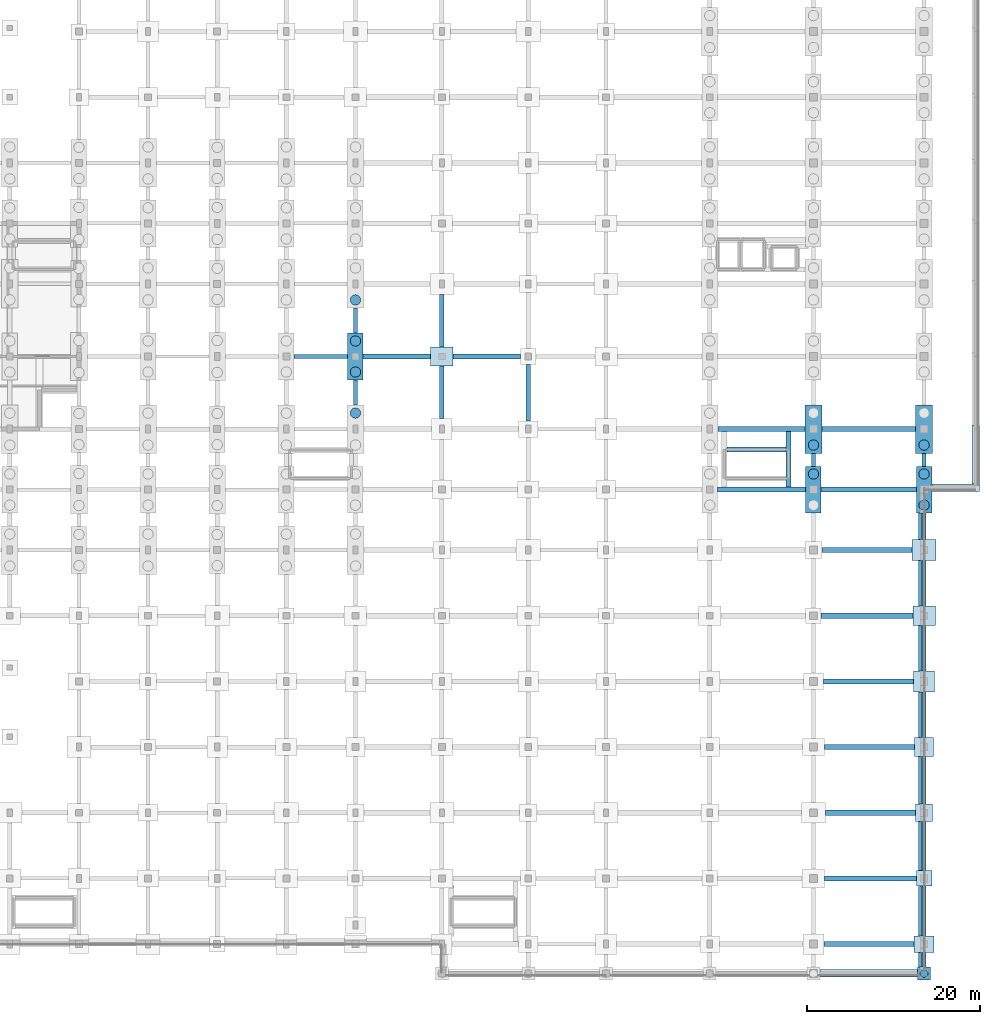
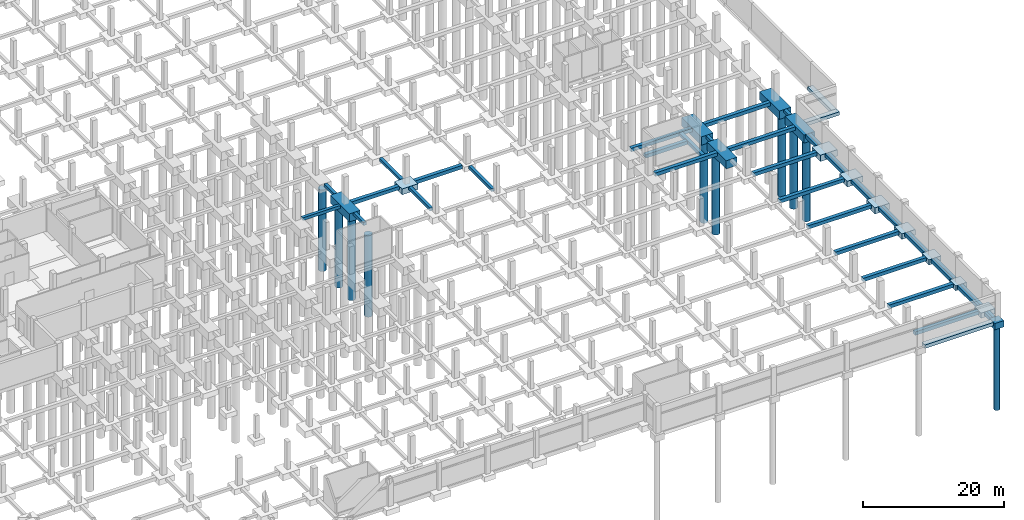
# One storey, part 20 of 50: 56 footings, 10 piles.
"""IFC4 building model written with IfcOpenShell, lengths in metres."""

from ifc_helpers import new_model, si_unit, direction, frame, origin, origin_2d, place, context, subcontext, project, spatial, polyline, rectangle, circle, outline, extrude, material, material_profile, profile_set, type_object, element, save


model = new_model("IFC4")

# Units and contexts
model_context = context("Model", 3, precision=1e-05, world=origin(), true_north=direction((0.0, 1.0)))
body_context = subcontext(model_context, "Body", "Model", "MODEL_VIEW")
ifc_project = project(units=[si_unit("LENGTHUNIT", "METRE"), si_unit("AREAUNIT", "SQUARE_METRE"), si_unit("VOLUMEUNIT", "CUBIC_METRE"), si_unit("PLANEANGLEUNIT", "RADIAN"), si_unit("MASSUNIT", "GRAM", prefix="KILO")], contexts=[model_context])

# Site, building, storey
site_placement = place(None, origin())
site = spatial("IfcSite", under=ifc_project, at=site_placement, CompositionType="ELEMENT")
building_placement = place(site_placement, origin())
building = spatial("IfcBuilding", under=site, at=building_placement, Name="Vekula Escarpment Museum", CompositionType="ELEMENT")
storey_placement = place(building_placement, frame((0.0, 0.0, -4.800048828125)))
storey = spatial("IfcBuildingStorey", under=building, at=storey_placement, Name="B1", CompositionType="ELEMENT", Elevation=-4.800048828125)

# Footings
ifc_material_1 = material(Name="Concrete C35/45", Category="concrete")
footing_type_1 = type_object("IfcFootingType", Name="FB-STRIP-600", PredefinedType="STRIP_FOOTING", material=ifc_material_1)
footing_1_placement = place(storey_placement, frame((0.0, 0.0, -0.599853515625)))
element("IfcFooting", 1, at=footing_1_placement, inside=storey, type_object=footing_type_1, Name="Plinth Wall Strip Footing 0082", PredefinedType="STRIP_FOOTING", context=body_context, shape_type="SweptSolid", body=[
    extrude(outline(polyline([(179.75390625, -3.794921875), (179.75390625, -2.955078125), (191.0458984375, -2.955078125), (191.0458984375, -3.794921875), (179.75390625, -3.794921875)])), origin(), (0.0, 0.0, 1.0), 0.599853515625),
])
footing_2_placement = place(storey_placement, frame((0.0, 0.0, -0.599853515625)))
element("IfcFooting", 2, at=footing_2_placement, inside=storey, type_object=footing_type_1, Name="Plinth Wall Strip Footing 0083", PredefinedType="STRIP_FOOTING", context=body_context, shape_type="SweptSolid", body=[
    extrude(outline(polyline([(191.155029296875, -0.9541015625), (191.5458984375, -0.9541015625), (191.5458984375, -2.64599609375), (191.155029296875, -2.64599609375), (191.155029296875, -0.9541015625)])), origin(), (0.0, 0.0, 1.0), 0.599853515625),
])
footing_3_placement = place(storey_placement, frame((0.0, 0.0, -0.599853515625)))
element("IfcFooting", 3, at=footing_3_placement, inside=storey, type_object=footing_type_1, Name="Plinth Wall Strip Footing 0084", PredefinedType="STRIP_FOOTING", context=body_context, shape_type="SweptSolid", body=[
    extrude(outline(polyline([(191.155029296875, 6.696044921875), (191.5458984375, 6.696044921875), (191.5458984375, 0.9541015625), (191.155029296875, 0.9541015625), (191.155029296875, 6.696044921875)])), origin(), (0.0, 0.0, 1.0), 0.599853515625),
])
footing_4_placement = place(storey_placement, frame((0.0, 0.0, -0.599853515625)))
element("IfcFooting", 4, at=footing_4_placement, inside=storey, type_object=footing_type_1, Name="Plinth Wall Strip Footing 0085", PredefinedType="STRIP_FOOTING", context=body_context, shape_type="SweptSolid", body=[
    extrude(outline(polyline([(191.155029296875, 14.196044921875), (191.5458984375, 14.196044921875), (191.5458984375, 8.50390625), (191.155029296875, 8.50390625), (191.155029296875, 14.196044921875)])), origin(), (0.0, 0.0, 1.0), 0.599853515625),
])
footing_5_placement = place(storey_placement, frame((0.0, 0.0, -0.599853515625)))
element("IfcFooting", 5, at=footing_5_placement, inside=storey, type_object=footing_type_1, Name="Plinth Wall Strip Footing 0086", PredefinedType="STRIP_FOOTING", context=body_context, shape_type="SweptSolid", body=[
    extrude(outline(polyline([(191.155029296875, 21.696044921875), (191.5458984375, 21.696044921875), (191.5458984375, 16.2041015625), (191.155029296875, 16.2041015625), (191.155029296875, 21.696044921875)])), origin(), (0.0, 0.0, 1.0), 0.599853515625),
])
footing_6_placement = place(storey_placement, frame((0.0, 0.0, -0.599853515625)))
element("IfcFooting", 6, at=footing_6_placement, inside=storey, type_object=footing_type_1, Name="Plinth Wall Strip Footing 0087", PredefinedType="STRIP_FOOTING", context=body_context, shape_type="SweptSolid", body=[
    extrude(outline(polyline([(191.155029296875, 29.196044921875), (191.5458984375, 29.196044921875), (191.5458984375, 23.904052734375), (191.155029296875, 23.904052734375), (191.155029296875, 29.196044921875)])), origin(), (0.0, 0.0, 1.0), 0.599853515625),
])
footing_7_placement = place(storey_placement, frame((0.0, 0.0, -0.599853515625)))
element("IfcFooting", 7, at=footing_7_placement, inside=storey, type_object=footing_type_1, Name="Plinth Wall Strip Footing 0088", PredefinedType="STRIP_FOOTING", context=body_context, shape_type="SweptSolid", body=[
    extrude(outline(polyline([(191.155029296875, 36.89599609375), (191.5458984375, 36.89599609375), (191.5458984375, 31.60400390625), (191.155029296875, 31.60400390625), (191.155029296875, 36.89599609375)])), origin(), (0.0, 0.0, 1.0), 0.599853515625),
])
footing_8_placement = place(storey_placement, frame((0.0, 0.0, -0.599853515625)))
element("IfcFooting", 8, at=footing_8_placement, inside=storey, type_object=footing_type_1, Name="Plinth Wall Strip Footing 0089", PredefinedType="STRIP_FOOTING", context=body_context, shape_type="SweptSolid", body=[
    extrude(outline(polyline([(191.155029296875, 44.39599609375), (191.5458984375, 44.39599609375), (191.5458984375, 39.10400390625), (191.155029296875, 39.10400390625), (191.155029296875, 44.39599609375)])), origin(), (0.0, 0.0, 1.0), 0.599853515625),
])
footing_9_placement = place(storey_placement, frame((0.0, 0.0, -0.599853515625)))
element("IfcFooting", 9, at=footing_9_placement, inside=storey, type_object=footing_type_1, Name="Plinth Wall Strip Footing 0090", PredefinedType="STRIP_FOOTING", context=body_context, shape_type="SweptSolid", body=[
    extrude(outline(polyline([(191.155029296875, 49.89599609375), (191.5458984375, 49.89599609375), (191.5458984375, 46.803955078125), (191.155029296875, 46.803955078125), (191.155029296875, 49.89599609375)])), origin(), (0.0, 0.0, 1.0), 0.599853515625),
])
footing_10_placement = place(storey_placement, frame((0.0, 0.0, -0.599853515625)))
element("IfcFooting", 10, at=footing_10_placement, inside=storey, type_object=footing_type_1, Name="Plinth Wall Strip Footing 0091", PredefinedType="STRIP_FOOTING", context=body_context, shape_type="SweptSolid", body=[
    extrude(outline(polyline([(198.195068359375, 53.2451171875), (198.195068359375, 52.405029296875), (192.7041015625, 52.405029296875), (192.7041015625, 53.2451171875), (198.195068359375, 53.2451171875)])), origin(), (0.0, 0.0, 1.0), 0.599853515625),
])
footing_11_placement = place(storey_placement, frame((0.0, 0.0, -0.599853515625)))
element("IfcFooting", 11, at=footing_11_placement, inside=storey, type_object=footing_type_1, Name="Plinth Wall Strip Footing 0092", PredefinedType="STRIP_FOOTING", context=body_context, shape_type="SweptSolid", body=[
    extrude(outline(polyline([(197.35498046875, 60.02001953125), (198.195068359375, 60.02001953125), (198.195068359375, 53.2490234375), (197.35498046875, 53.2490234375), (197.35498046875, 60.02001953125)])), origin(), (0.0, 0.0, 1.0), 0.599853515625),
])
footing_12_placement = place(storey_placement, frame((0.0, 0.0, -0.599853515625)))
element("IfcFooting", 12, at=footing_12_placement, inside=storey, type_object=footing_type_1, Name="Stair Core Strip Footing ST-02 E", PredefinedType="STRIP_FOOTING", context=body_context, shape_type="SweptSolid", body=[
    extrude(outline(polyline([(176.425048828125, 52.904052734375), (175.824951171875, 52.904052734375), (175.824951171875, 59.2958984375), (176.425048828125, 59.2958984375), (176.425048828125, 52.904052734375)])), origin(), (0.0, 0.0, 1.0), 0.599853515625),
])
footing_13_placement = place(storey_placement, frame((0.0, 0.0, -0.599853515625)))
element("IfcFooting", 13, at=footing_13_placement, inside=storey, type_object=footing_type_1, Name="Stair Core Strip Footing ST-02 N", PredefinedType="STRIP_FOOTING", context=body_context, shape_type="SweptSolid", body=[
    extrude(outline(polyline([(168.97900390625, 56.925048828125), (168.97900390625, 57.52490234375), (175.821044921875, 57.52490234375), (175.821044921875, 56.925048828125), (168.97900390625, 56.925048828125)])), origin(), (0.0, 0.0, 1.0), 0.599853515625),
])
ifc_material_2 = material(Name="Concrete C35/45", Category="concrete")
ifc_material_profile_1 = material_profile(ifc_material_2, rectangle(XDim=0.5, YDim=0.5, at=origin_2d()), Name="RC 500x500")
ifc_profile_set_1 = profile_set([ifc_material_profile_1], Name="Concrete C35/45")
footing_type_2 = type_object("IfcFootingType", Name="FB-TIE-500x500", PredefinedType="FOOTING_BEAM", material=ifc_profile_set_1)
footing_14_placement = place(storey_placement, frame((118.89990234375, 68.0, -0.25), z_axis=(1.0, 0.0, 0.0), x_axis=(0.0, 1.0, 0.0)))
element("IfcFooting", 14, at=footing_14_placement, inside=storey, type_object=footing_type_2, Name="Foundation Tie Beam 203", PredefinedType="FOOTING_BEAM", context=body_context, shape_type="SweptSolid", body=[
    extrude(rectangle(XDim=0.5, YDim=0.5, at=origin_2d()), origin(), (0.0, 0.0, 1.0), 6.2001953125),
])
for number, where, z_axis, x_axis, name in (
    (15, (126.0, 62.39990234375, -0.25), (0.0, 1.0, 0.0), (-1.0, 0.0, 0.0), "Foundation Tie Beam 672"),
    (16, (126.0, 70.699951171875, -0.25), (0.0, 1.0, 0.0), (-1.0, 0.0, 0.0), "Foundation Tie Beam 673"),
):
    element("IfcFooting", number, at=place(storey_placement, frame(where, z_axis=z_axis, x_axis=x_axis)), inside=storey, type_object=footing_type_2, Name=name, PredefinedType="FOOTING_BEAM", context=body_context, shape_type="SweptSolid", body=[
        extrude(rectangle(XDim=0.5, YDim=0.5, at=origin_2d()), origin(), (0.0, 0.0, 1.0), 2.900146484375),
    ])
for number, where, z_axis, x_axis, name in (
    (17, (136.0, 60.800048828125, -0.25), (0.0, 1.0, 0.0), (-1.0, 0.0, 0.0), "Foundation Tie Beam 691"),
    (18, (136.0, 69.10009765625, -0.25), (0.0, 1.0, 0.0), (-1.0, 0.0, 0.0), "Foundation Tie Beam 692"),
):
    element("IfcFooting", number, at=place(storey_placement, frame(where, z_axis=z_axis, x_axis=x_axis)), inside=storey, type_object=footing_type_2, Name=name, PredefinedType="FOOTING_BEAM", context=body_context, shape_type="SweptSolid", body=[
        extrude(rectangle(XDim=0.5, YDim=0.5, at=origin_2d()), origin(), (0.0, 0.0, 1.0), 6.099853515625),
    ])
footing_15_placement = place(storey_placement, frame((146.0, 60.550048828125, -0.25), z_axis=(0.0, 1.0, 0.0), x_axis=(-1.0, 0.0, 0.0)))
element("IfcFooting", 19, at=footing_15_placement, inside=storey, type_object=footing_type_2, Name="Foundation Tie Beam 710", PredefinedType="FOOTING_BEAM", context=body_context, shape_type="SweptSolid", body=[
    extrude(rectangle(XDim=0.5, YDim=0.5, at=origin_2d()), origin(), (0.0, 0.0, 1.0), 6.550048828125),
])
footing_16_placement = place(storey_placement, frame((179.0, 55.300048828125, -0.25), z_axis=(0.0, 1.0, 0.0), x_axis=(-1.0, 0.0, 0.0)))
element("IfcFooting", 20, at=footing_16_placement, inside=storey, type_object=footing_type_2, Name="Foundation Tie Beam 766", PredefinedType="FOOTING_BEAM", context=body_context, shape_type="SweptSolid", body=[
    extrude(rectangle(XDim=0.5, YDim=0.5, at=origin_2d()), origin(), (0.0, 0.0, 1.0), 1.5),
])
footing_17_placement = place(storey_placement, frame((191.800048828125, -2.64990234375, -0.25), z_axis=(0.0, 1.0, 0.0), x_axis=(-1.0, 0.0, 0.0)))
element("IfcFooting", 21, at=footing_17_placement, inside=storey, type_object=footing_type_2, Name="Foundation Tie Beam 777", PredefinedType="FOOTING_BEAM", context=body_context, shape_type="SweptSolid", body=[
    extrude(rectangle(XDim=0.5, YDim=0.5, at=origin_2d()), origin(), (0.0, 0.0, 1.0), 1.699951171875),
])
footing_18_placement = place(storey_placement, frame((191.800048828125, 0.949951171875, -0.25), z_axis=(0.0, 1.0, 0.0), x_axis=(-1.0, 0.0, 0.0)))
element("IfcFooting", 22, at=footing_18_placement, inside=storey, type_object=footing_type_2, Name="Foundation Tie Beam 778", PredefinedType="FOOTING_BEAM", context=body_context, shape_type="SweptSolid", body=[
    extrude(rectangle(XDim=0.5, YDim=0.5, at=origin_2d()), origin(), (0.0, 0.0, 1.0), 5.75),
])
footing_19_placement = place(storey_placement, frame((191.800048828125, 8.5, -0.25), z_axis=(0.0, 1.0, 0.0), x_axis=(-1.0, 0.0, 0.0)))
element("IfcFooting", 23, at=footing_19_placement, inside=storey, type_object=footing_type_2, Name="Foundation Tie Beam 779", PredefinedType="FOOTING_BEAM", context=body_context, shape_type="SweptSolid", body=[
    extrude(rectangle(XDim=0.5, YDim=0.5, at=origin_2d()), origin(), (0.0, 0.0, 1.0), 5.699951171875),
])
footing_20_placement = place(storey_placement, frame((191.800048828125, 16.199951171875, -0.25), z_axis=(0.0, 1.0, 0.0), x_axis=(-1.0, 0.0, 0.0)))
element("IfcFooting", 24, at=footing_20_placement, inside=storey, type_object=footing_type_2, Name="Foundation Tie Beam 780", PredefinedType="FOOTING_BEAM", context=body_context, shape_type="SweptSolid", body=[
    extrude(rectangle(XDim=0.5, YDim=0.5, at=origin_2d()), origin(), (0.0, 0.0, 1.0), 5.5),
])
footing_21_placement = place(storey_placement, frame((191.800048828125, 23.89990234375, -0.25), z_axis=(0.0, 1.0, 0.0), x_axis=(-1.0, 0.0, 0.0)))
element("IfcFooting", 25, at=footing_21_placement, inside=storey, type_object=footing_type_2, Name="Foundation Tie Beam 781", PredefinedType="FOOTING_BEAM", context=body_context, shape_type="SweptSolid", body=[
    extrude(rectangle(XDim=0.5, YDim=0.5, at=origin_2d()), origin(), (0.0, 0.0, 1.0), 5.300048828125),
])
for number, where, z_axis, x_axis, name in (
    (26, (191.800048828125, 31.60009765625, -0.25), (0.0, 1.0, 0.0), (-1.0, 0.0, 0.0), "Foundation Tie Beam 782"),
    (27, (191.800048828125, 39.10009765625, -0.25), (0.0, 1.0, 0.0), (-1.0, 0.0, 0.0), "Foundation Tie Beam 783"),
):
    element("IfcFooting", number, at=place(storey_placement, frame(where, z_axis=z_axis, x_axis=x_axis)), inside=storey, type_object=footing_type_2, Name=name, PredefinedType="FOOTING_BEAM", context=body_context, shape_type="SweptSolid", body=[
        extrude(rectangle(XDim=0.5, YDim=0.5, at=origin_2d()), origin(), (0.0, 0.0, 1.0), 5.2998046875),
    ])
footing_22_placement = place(storey_placement, frame((191.800048828125, 46.800048828125, -0.25), z_axis=(0.0, 1.0, 0.0), x_axis=(-1.0, 0.0, 0.0)))
element("IfcFooting", 28, at=footing_22_placement, inside=storey, type_object=footing_type_2, Name="Foundation Tie Beam 784", PredefinedType="FOOTING_BEAM", context=body_context, shape_type="SweptSolid", body=[
    extrude(rectangle(XDim=0.5, YDim=0.5, at=origin_2d()), origin(), (0.0, 0.0, 1.0), 3.099853515625),
])
footing_23_placement = place(storey_placement, frame((191.800048828125, 55.300048828125, -0.25), z_axis=(0.0, 1.0, 0.0), x_axis=(-1.0, 0.0, 0.0)))
element("IfcFooting", 29, at=footing_23_placement, inside=storey, type_object=footing_type_2, Name="Foundation Tie Beam 785", PredefinedType="FOOTING_BEAM", context=body_context, shape_type="SweptSolid", body=[
    extrude(rectangle(XDim=0.5, YDim=0.5, at=origin_2d()), origin(), (0.0, 0.0, 1.0), 1.5),
])
ifc_material_3 = material(Name="Concrete C35/45", Category="concrete")
ifc_material_profile_2 = material_profile(ifc_material_3, rectangle(XDim=0.60009765625, YDim=0.60009765625, at=origin_2d()), Name="RC 600x600")
ifc_profile_set_2 = profile_set([ifc_material_profile_2], Name="Concrete C35/45")
footing_type_3 = type_object("IfcFootingType", Name="FB-TIE-600x600", PredefinedType="FOOTING_BEAM", material=ifc_profile_set_2)
footing_24_placement = place(storey_placement, frame((180.199951171875, 0.0, -0.300048828125), z_axis=(1.0, 0.0, 0.0), x_axis=(0.0, 1.0, 0.0)))
element("IfcFooting", 30, at=footing_24_placement, inside=storey, type_object=footing_type_3, Name="Foundation Tie Beam 024", PredefinedType="FOOTING_BEAM", context=body_context, shape_type="SweptSolid", body=[
    extrude(rectangle(XDim=0.60009765625, YDim=0.60009765625, at=origin_2d()), origin(), (0.0, 0.0, 1.0), 10.449951171875),
])
footing_25_placement = place(storey_placement, frame((180.300048828125, 7.60009765625, -0.300048828125), z_axis=(1.0, 0.0, 0.0), x_axis=(0.0, 1.0, 0.0)))
element("IfcFooting", 31, at=footing_25_placement, inside=storey, type_object=footing_type_3, Name="Foundation Tie Beam 043", PredefinedType="FOOTING_BEAM", context=body_context, shape_type="SweptSolid", body=[
    extrude(rectangle(XDim=0.60009765625, YDim=0.60009765625, at=origin_2d()), origin(), (0.0, 0.0, 1.0), 10.599853515625),
])
footing_26_placement = place(storey_placement, frame((180.39990234375, 15.199951171875, -0.300048828125), z_axis=(1.0, 0.0, 0.0), x_axis=(0.0, 1.0, 0.0)))
element("IfcFooting", 32, at=footing_26_placement, inside=storey, type_object=footing_type_3, Name="Foundation Tie Beam 062", PredefinedType="FOOTING_BEAM", context=body_context, shape_type="SweptSolid", body=[
    extrude(rectangle(XDim=0.60009765625, YDim=0.60009765625, at=origin_2d()), origin(), (0.0, 0.0, 1.0), 10.400146484375),
])
footing_27_placement = place(storey_placement, frame((180.25, 22.800048828125, -0.300048828125), z_axis=(1.0, 0.0, 0.0), x_axis=(0.0, 1.0, 0.0)))
element("IfcFooting", 33, at=footing_27_placement, inside=storey, type_object=footing_type_3, Name="Foundation Tie Beam 080", PredefinedType="FOOTING_BEAM", context=body_context, shape_type="SweptSolid", body=[
    extrude(rectangle(XDim=0.60009765625, YDim=0.60009765625, at=origin_2d()), origin(), (0.0, 0.0, 1.0), 10.449951171875),
])
footing_28_placement = place(storey_placement, frame((180.14990234375, 30.39990234375, -0.300048828125), z_axis=(1.0, 0.0, 0.0), x_axis=(0.0, 1.0, 0.0)))
element("IfcFooting", 34, at=footing_28_placement, inside=storey, type_object=footing_type_3, Name="Foundation Tie Beam 098", PredefinedType="FOOTING_BEAM", context=body_context, shape_type="SweptSolid", body=[
    extrude(rectangle(XDim=0.60009765625, YDim=0.60009765625, at=origin_2d()), origin(), (0.0, 0.0, 1.0), 10.4501953125),
])
footing_29_placement = place(storey_placement, frame((179.89990234375, 38.0, -0.300048828125), z_axis=(1.0, 0.0, 0.0), x_axis=(0.0, 1.0, 0.0)))
element("IfcFooting", 35, at=footing_29_placement, inside=storey, type_object=footing_type_3, Name="Foundation Tie Beam 119", PredefinedType="FOOTING_BEAM", context=body_context, shape_type="SweptSolid", body=[
    extrude(rectangle(XDim=0.60009765625, YDim=0.60009765625, at=origin_2d()), origin(), (0.0, 0.0, 1.0), 10.60009765625),
])
footing_30_placement = place(storey_placement, frame((180.0, 45.60009765625, -0.300048828125), z_axis=(1.0, 0.0, 0.0), x_axis=(0.0, 1.0, 0.0)))
element("IfcFooting", 36, at=footing_30_placement, inside=storey, type_object=footing_type_3, Name="Foundation Tie Beam 140", PredefinedType="FOOTING_BEAM", context=body_context, shape_type="SweptSolid", body=[
    extrude(rectangle(XDim=0.60009765625, YDim=0.60009765625, at=origin_2d()), origin(), (0.0, 0.0, 1.0), 10.39990234375),
])
footing_31_placement = place(storey_placement, frame((167.89990234375, 52.60009765625, -0.300048828125), z_axis=(1.0, 0.0, 0.0), x_axis=(0.0, 1.0, 0.0)))
element("IfcFooting", 37, at=footing_31_placement, inside=storey, type_object=footing_type_3, Name="Foundation Tie Beam 162", PredefinedType="FOOTING_BEAM", context=body_context, shape_type="SweptSolid", body=[
    extrude(rectangle(XDim=0.60009765625, YDim=0.60009765625, at=origin_2d()), origin(), (0.0, 0.0, 1.0), 10.2001953125),
])
footing_32_placement = place(storey_placement, frame((179.89990234375, 52.60009765625, -0.300048828125), z_axis=(1.0, 0.0, 0.0), x_axis=(0.0, 1.0, 0.0)))
element("IfcFooting", 38, at=footing_32_placement, inside=storey, type_object=footing_type_3, Name="Foundation Tie Beam 163", PredefinedType="FOOTING_BEAM", context=body_context, shape_type="SweptSolid", body=[
    extrude(rectangle(XDim=0.60009765625, YDim=0.60009765625, at=origin_2d()), origin(), (0.0, 0.0, 1.0), 11.0),
])
footing_33_placement = place(storey_placement, frame((167.97509765625, 59.60009765625, -0.300048828125), z_axis=(1.0, 0.0, 0.0), x_axis=(0.0, 1.0, 0.0)))
element("IfcFooting", 39, at=footing_33_placement, inside=storey, type_object=footing_type_3, Name="Foundation Tie Beam 185", PredefinedType="FOOTING_BEAM", context=body_context, shape_type="SweptSolid", body=[
    extrude(rectangle(XDim=0.60009765625, YDim=0.60009765625, at=origin_2d()), origin(), (0.0, 0.0, 1.0), 10.0498046875),
])
footing_34_placement = place(storey_placement, frame((179.97509765625, 59.60009765625, -0.300048828125), z_axis=(1.0, 0.0, 0.0), x_axis=(0.0, 1.0, 0.0)))
element("IfcFooting", 40, at=footing_34_placement, inside=storey, type_object=footing_type_3, Name="Foundation Tie Beam 186", PredefinedType="FOOTING_BEAM", context=body_context, shape_type="SweptSolid", body=[
    extrude(rectangle(XDim=0.60009765625, YDim=0.60009765625, at=origin_2d()), origin(), (0.0, 0.0, 1.0), 10.849853515625),
])
for number, where, z_axis, x_axis, name in (
    (41, (126.89990234375, 68.0, -0.300048828125), (1.0, 0.0, 0.0), (0.0, 1.0, 0.0), "Foundation Tie Beam 204"),
    (42, (137.300048828125, 68.0, -0.300048828125), (1.0, 0.0, 0.0), (0.0, 1.0, 0.0), "Foundation Tie Beam 205"),
):
    element("IfcFooting", number, at=place(storey_placement, frame(where, z_axis=z_axis, x_axis=x_axis)), inside=storey, type_object=footing_type_3, Name=name, PredefinedType="FOOTING_BEAM", context=body_context, shape_type="SweptSolid", body=[
        extrude(rectangle(XDim=0.60009765625, YDim=0.60009765625, at=origin_2d()), origin(), (0.0, 0.0, 1.0), 7.800048828125),
    ])
ifc_material_4 = material(Name="Concrete C35/45", Category="concrete")
footing_type_4 = type_object("IfcFootingType", Name="FC-PAD1", PredefinedType="PAD_FOOTING", material=ifc_material_4)
footing_35_placement = place(storey_placement, frame((0.0, 0.0, -0.849853515625)))
element("IfcFooting", 43, at=footing_35_placement, inside=storey, type_object=footing_type_4, Name="Foundation FC-PAD1 (191.8,7.6)", PredefinedType="PAD_FOOTING", context=body_context, shape_type="SweptSolid", body=[
    extrude(outline(polyline([(190.89990234375, 6.699951171875), (192.699951171875, 6.699951171875), (192.699951171875, 8.5), (190.89990234375, 8.5), (190.89990234375, 6.699951171875)])), origin(), (0.0, 0.0, 1.0), 0.849853515625),
])
ifc_material_5 = material(Name="Concrete C35/45", Category="concrete")
footing_type_5 = type_object("IfcFootingType", Name="FC-PAD2", PredefinedType="PAD_FOOTING", material=ifc_material_5)
footing_36_placement = place(storey_placement, frame((0.0, 0.0, -0.89990234375)))
element("IfcFooting", 44, at=footing_36_placement, inside=storey, type_object=footing_type_5, Name="Foundation FC-PAD2 (191.8,15.2)", PredefinedType="PAD_FOOTING", context=body_context, shape_type="SweptSolid", body=[
    extrude(outline(polyline([(190.800048828125, 14.199951171875), (192.800048828125, 14.199951171875), (192.800048828125, 16.199951171875), (190.800048828125, 16.199951171875), (190.800048828125, 14.199951171875)])), origin(), (0.0, 0.0, 1.0), 0.89990234375),
])
ifc_material_6 = material(Name="Concrete C35/45", Category="concrete")
footing_type_6 = type_object("IfcFootingType", Name="FC-PAD3", PredefinedType="PAD_FOOTING", material=ifc_material_6)
footing_37_placement = place(storey_placement, frame((0.0, 0.0, -0.949951171875)))
element("IfcFooting", 45, at=footing_37_placement, inside=storey, type_object=footing_type_6, Name="Foundation FC-PAD3 (191.8,22.8)", PredefinedType="PAD_FOOTING", context=body_context, shape_type="SweptSolid", body=[
    extrude(outline(polyline([(190.699951171875, 21.699951171875), (192.89990234375, 21.699951171875), (192.89990234375, 23.89990234375), (190.699951171875, 23.89990234375), (190.699951171875, 21.699951171875)])), origin(), (0.0, 0.0, 1.0), 0.949951171875),
])
ifc_material_7 = material(Name="Concrete C35/45", Category="concrete")
footing_type_7 = type_object("IfcFootingType", Name="FC-PAD4", PredefinedType="PAD_FOOTING", material=ifc_material_7)
footing_38_placement = place(storey_placement, frame((0.0, 0.0, -1.050048828125)))
element("IfcFooting", 46, at=footing_38_placement, inside=storey, type_object=footing_type_7, Name="Foundation FC-PAD4 (191.8,30.4)", PredefinedType="PAD_FOOTING", context=body_context, shape_type="SweptSolid", body=[
    extrude(outline(polyline([(190.60009765625, 29.199951171875), (193.0, 29.199951171875), (193.0, 31.60009765625), (190.60009765625, 31.60009765625), (190.60009765625, 29.199951171875)])), origin(), (0.0, 0.0, 1.0), 1.050048828125),
])
ifc_material_8 = material(Name="Concrete C35/45", Category="concrete")
footing_type_8 = type_object("IfcFootingType", Name="FC-PAD5", PredefinedType="PAD_FOOTING", material=ifc_material_8)
footing_39_placement = place(storey_placement, frame((0.0, 0.0, -1.0)))
element("IfcFooting", 47, at=footing_39_placement, inside=storey, type_object=footing_type_8, Name="Foundation FC-PAD5 (136.0,68.0)", PredefinedType="PAD_FOOTING", context=body_context, shape_type="SweptSolid", body=[
    extrude(outline(polyline([(134.699951171875, 66.89990234375), (137.300048828125, 66.89990234375), (137.300048828125, 69.10009765625), (134.699951171875, 69.10009765625), (134.699951171875, 66.89990234375)])), origin(), (0.0, 0.0, 1.0), 1.0),
])
footing_40_placement = place(storey_placement, frame((0.0, 0.0, -1.0)))
element("IfcFooting", 48, at=footing_40_placement, inside=storey, type_object=footing_type_8, Name="Foundation FC-PAD5 (191.8,38.0)", PredefinedType="PAD_FOOTING", context=body_context, shape_type="SweptSolid", body=[
    extrude(outline(polyline([(190.5, 36.89990234375), (193.10009765625, 36.89990234375), (193.10009765625, 39.10009765625), (190.5, 39.10009765625), (190.5, 36.89990234375)])), origin(), (0.0, 0.0, 1.0), 1.0),
])
ifc_material_9 = material(Name="Concrete C35/45", Category="concrete")
footing_type_9 = type_object("IfcFootingType", Name="FC-PAD6", PredefinedType="PAD_FOOTING", material=ifc_material_9)
footing_41_placement = place(storey_placement, frame((0.0, 0.0, -1.099853515625)))
element("IfcFooting", 49, at=footing_41_placement, inside=storey, type_object=footing_type_9, Name="Foundation FC-PAD6 (191.8,45.6)", PredefinedType="PAD_FOOTING", context=body_context, shape_type="SweptSolid", body=[
    extrude(outline(polyline([(190.39990234375, 44.39990234375), (193.199951171875, 44.39990234375), (193.199951171875, 46.800048828125), (190.39990234375, 46.800048828125), (190.39990234375, 44.39990234375)])), origin(), (0.0, 0.0, 1.0), 1.099853515625),
])
ifc_material_10 = material(Name="Concrete C35/45", Category="concrete")
footing_type_10 = type_object("IfcFootingType", Name="FC-PAD8", PredefinedType="PAD_FOOTING", material=ifc_material_10)
footing_42_placement = place(storey_placement, frame((0.0, 0.0, -0.89990234375)))
element("IfcFooting", 50, at=footing_42_placement, inside=storey, type_object=footing_type_10, Name="Foundation FC-PAD8 (191.8,0.0)", PredefinedType="PAD_FOOTING", context=body_context, shape_type="SweptSolid", body=[
    extrude(outline(polyline([(190.64990234375, -0.949951171875), (192.949951171875, -0.949951171875), (192.949951171875, 0.949951171875), (190.64990234375, 0.949951171875), (190.64990234375, -0.949951171875)])), origin(), (0.0, 0.0, 1.0), 0.89990234375),
])
ifc_material_11 = material(Name="Concrete C35/45", Category="concrete")
footing_type_11 = type_object("IfcFootingType", Name="FC-PC1A", PredefinedType="PILE_CAP", material=ifc_material_11)
footing_43_placement = place(storey_placement, frame((0.0, 0.0, -1.099853515625)))
element("IfcFooting", 51, at=footing_43_placement, inside=storey, type_object=footing_type_11, Name="Foundation FC-PC1A (191.8,-3.4)", PredefinedType="PILE_CAP", context=body_context, shape_type="SweptSolid", body=[
    extrude(outline(polyline([(191.050048828125, -4.14990234375), (192.550048828125, -4.14990234375), (192.550048828125, -2.64990234375), (191.050048828125, -2.64990234375), (191.050048828125, -4.14990234375)])), origin(), (0.0, 0.0, 1.0), 1.099853515625),
])
ifc_material_12 = material(Name="Concrete C35/45", Category="concrete")
footing_type_12 = type_object("IfcFootingType", Name="FC-PC2Y-HA", PredefinedType="PILE_CAP", material=ifc_material_12)
footing_44_placement = place(storey_placement, frame((0.0, 0.0, -1.39990234375)))
element("IfcFooting", 52, at=footing_44_placement, inside=storey, type_object=footing_type_12, Name="Foundation FC-PC2Y-HA (126.0,68.0)", PredefinedType="PILE_CAP", context=body_context, shape_type="SweptSolid", body=[
    extrude(outline(polyline([(125.10009765625, 65.300048828125), (126.89990234375, 65.300048828125), (126.89990234375, 70.699951171875), (125.10009765625, 70.699951171875), (125.10009765625, 65.300048828125)])), origin(), (0.0, 0.0, 1.0), 1.39990234375),
])
footing_45_placement = place(storey_placement, frame((0.0, 0.0, -1.39990234375)))
element("IfcFooting", 53, at=footing_45_placement, inside=storey, type_object=footing_type_12, Name="Foundation FC-PC2Y-HA (179.0,52.6)", PredefinedType="PILE_CAP", context=body_context, shape_type="SweptSolid", body=[
    extrude(outline(polyline([(178.10009765625, 49.89990234375), (179.89990234375, 49.89990234375), (179.89990234375, 55.300048828125), (178.10009765625, 55.300048828125), (178.10009765625, 49.89990234375)])), origin(), (0.0, 0.0, 1.0), 1.39990234375),
])
footing_46_placement = place(storey_placement, frame((0.0, 0.0, -1.39990234375)))
element("IfcFooting", 54, at=footing_46_placement, inside=storey, type_object=footing_type_12, Name="Foundation FC-PC2Y-HA (191.8,52.6)", PredefinedType="PILE_CAP", context=body_context, shape_type="SweptSolid", body=[
    extrude(outline(polyline([(190.89990234375, 49.89990234375), (192.699951171875, 49.89990234375), (192.699951171875, 55.300048828125), (190.89990234375, 55.300048828125), (190.89990234375, 49.89990234375)])), origin(), (0.0, 0.0, 1.0), 1.39990234375),
])
ifc_material_13 = material(Name="Concrete C35/45", Category="concrete")
footing_type_13 = type_object("IfcFootingType", Name="FC-PC2Y-HB", PredefinedType="PILE_CAP", material=ifc_material_13)
footing_47_placement = place(storey_placement, frame((0.0, 0.0, -1.449951171875)))
element("IfcFooting", 55, at=footing_47_placement, inside=storey, type_object=footing_type_13, Name="Foundation FC-PC2Y-HB (179.0,59.6)", PredefinedType="PILE_CAP", context=body_context, shape_type="SweptSolid", body=[
    extrude(outline(polyline([(178.02490234375, 56.800048828125), (179.97509765625, 56.800048828125), (179.97509765625, 62.39990234375), (178.02490234375, 62.39990234375), (178.02490234375, 56.800048828125)])), origin(), (0.0, 0.0, 1.0), 1.449951171875),
])
footing_48_placement = place(storey_placement, frame((0.0, 0.0, -1.449951171875)))
element("IfcFooting", 56, at=footing_48_placement, inside=storey, type_object=footing_type_13, Name="Foundation FC-PC2Y-HB (191.8,59.6)", PredefinedType="PILE_CAP", context=body_context, shape_type="SweptSolid", body=[
    extrude(outline(polyline([(190.824951171875, 56.800048828125), (192.77490234375, 56.800048828125), (192.77490234375, 62.39990234375), (190.824951171875, 62.39990234375), (190.824951171875, 56.800048828125)])), origin(), (0.0, 0.0, 1.0), 1.449951171875),
])

# Piles
ifc_material_14 = material(Name="Concrete C35/45", Category="concrete")
ifc_material_profile_3 = material_profile(ifc_material_14, circle(Radius=0.60009765625, at=origin_2d()), Name="BORED PILE 1200")
ifc_profile_set_3 = profile_set([ifc_material_profile_3], Name="Concrete C35/45")
pile_type_1 = type_object("IfcPileType", Name="PILE-B1200", PredefinedType="BORED", material=ifc_profile_set_3)
pile_1_placement = place(storey_placement, frame((126.0, 61.449951171875, -1.349853515625), z_axis=(0.0, 0.0, -1.0), x_axis=(1.0, 0.0, 0.0)))
element("IfcPile", 57, at=pile_1_placement, inside=storey, type_object=pile_type_1, Name="Bored Pile (126.0,61.5)", PredefinedType="BORED", context=body_context, shape_type="SweptSolid", body=[
    extrude(circle(Radius=0.60009765625, at=origin_2d()), origin(), (0.0, 0.0, 1.0), 14.14990234375),
])
for number, where, z_axis, x_axis, name in (
    (58, (126.0, 66.199951171875, -1.300048828125), (0.0, 0.0, -1.0), (1.0, 0.0, 0.0), "Bored Pile (126.0,66.2)"),
    (59, (126.0, 69.800048828125, -1.300048828125), (0.0, 0.0, -1.0), (1.0, 0.0, 0.0), "Bored Pile (126.0,69.8)"),
):
    element("IfcPile", number, at=place(storey_placement, frame(where, z_axis=z_axis, x_axis=x_axis)), inside=storey, type_object=pile_type_1, Name=name, PredefinedType="BORED", context=body_context, shape_type="SweptSolid", body=[
        extrude(circle(Radius=0.60009765625, at=origin_2d()), origin(), (0.0, 0.0, 1.0), 14.199951171875),
    ])
pile_2_placement = place(storey_placement, frame((126.0, 74.550048828125, -1.349853515625), z_axis=(0.0, 0.0, -1.0), x_axis=(1.0, 0.0, 0.0)))
element("IfcPile", 60, at=pile_2_placement, inside=storey, type_object=pile_type_1, Name="Bored Pile (126.0,74.6)", PredefinedType="BORED", context=body_context, shape_type="SweptSolid", body=[
    extrude(circle(Radius=0.60009765625, at=origin_2d()), origin(), (0.0, 0.0, 1.0), 14.14990234375),
])
pile_3_placement = place(storey_placement, frame((179.0, 54.39990234375, -1.300048828125), z_axis=(0.0, 0.0, -1.0), x_axis=(1.0, 0.0, 0.0)))
element("IfcPile", 61, at=pile_3_placement, inside=storey, type_object=pile_type_1, Name="Bored Pile (179.0,54.4)", PredefinedType="BORED", context=body_context, shape_type="SweptSolid", body=[
    extrude(circle(Radius=0.60009765625, at=origin_2d()), origin(), (0.0, 0.0, 1.0), 14.199951171875),
])
pile_4_placement = place(storey_placement, frame((179.0, 57.75, -1.349853515625), z_axis=(0.0, 0.0, -1.0), x_axis=(1.0, 0.0, 0.0)))
element("IfcPile", 62, at=pile_4_placement, inside=storey, type_object=pile_type_1, Name="Bored Pile (179.0,57.8)", PredefinedType="BORED", context=body_context, shape_type="SweptSolid", body=[
    extrude(circle(Radius=0.60009765625, at=origin_2d()), origin(), (0.0, 0.0, 1.0), 14.14990234375),
])
for number, where, z_axis, x_axis, name in (
    (63, (191.800048828125, 50.800048828125, -1.300048828125), (0.0, 0.0, -1.0), (1.0, 0.0, 0.0), "Bored Pile (191.8,50.8)"),
    (64, (191.800048828125, 54.39990234375, -1.300048828125), (0.0, 0.0, -1.0), (1.0, 0.0, 0.0), "Bored Pile (191.8,54.4)"),
):
    element("IfcPile", number, at=place(storey_placement, frame(where, z_axis=z_axis, x_axis=x_axis)), inside=storey, type_object=pile_type_1, Name=name, PredefinedType="BORED", context=body_context, shape_type="SweptSolid", body=[
        extrude(circle(Radius=0.60009765625, at=origin_2d()), origin(), (0.0, 0.0, 1.0), 14.199951171875),
    ])
pile_5_placement = place(storey_placement, frame((191.800048828125, 57.75, -1.349853515625), z_axis=(0.0, 0.0, -1.0), x_axis=(1.0, 0.0, 0.0)))
element("IfcPile", 65, at=pile_5_placement, inside=storey, type_object=pile_type_1, Name="Bored Pile (191.8,57.8)", PredefinedType="BORED", context=body_context, shape_type="SweptSolid", body=[
    extrude(circle(Radius=0.60009765625, at=origin_2d()), origin(), (0.0, 0.0, 1.0), 14.14990234375),
])
ifc_material_15 = material(Name="Concrete C35/45", Category="concrete")
ifc_material_profile_4 = material_profile(ifc_material_15, circle(Radius=0.449951171875, at=origin_2d()), Name="BORED PILE 900")
ifc_profile_set_4 = profile_set([ifc_material_profile_4], Name="Concrete C35/45")
pile_type_2 = type_object("IfcPileType", Name="PILE-B900", PredefinedType="BORED", material=ifc_profile_set_4)
pile_6_placement = place(storey_placement, frame((191.800048828125, -3.39990234375, -1.0), z_axis=(0.0, 0.0, -1.0), x_axis=(1.0, 0.0, 0.0)))
element("IfcPile", 66, at=pile_6_placement, inside=storey, type_object=pile_type_2, Name="Bored Pile (191.8,-3.4)", PredefinedType="BORED", context=body_context, shape_type="SweptSolid", body=[
    extrude(circle(Radius=0.449951171875, at=origin_2d()), origin(), (0.0, 0.0, 1.0), 14.5),
])

save(model, "model.ifc")
